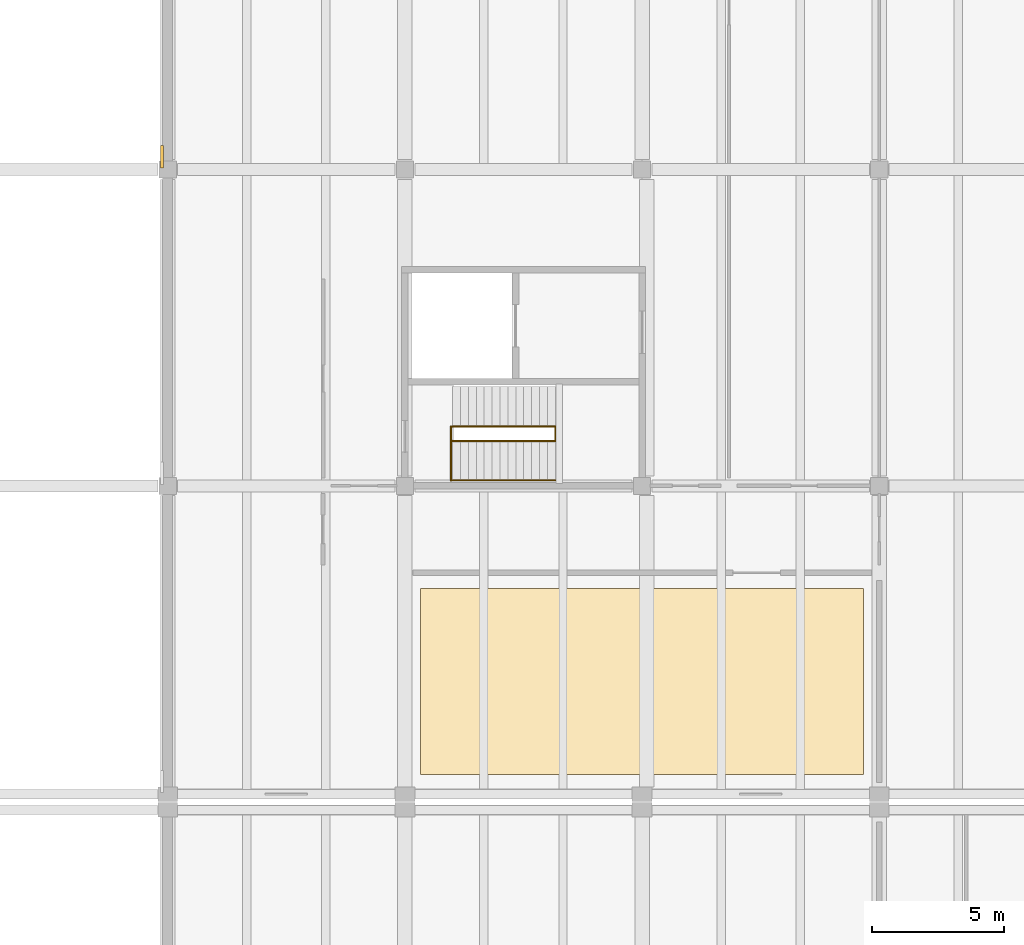
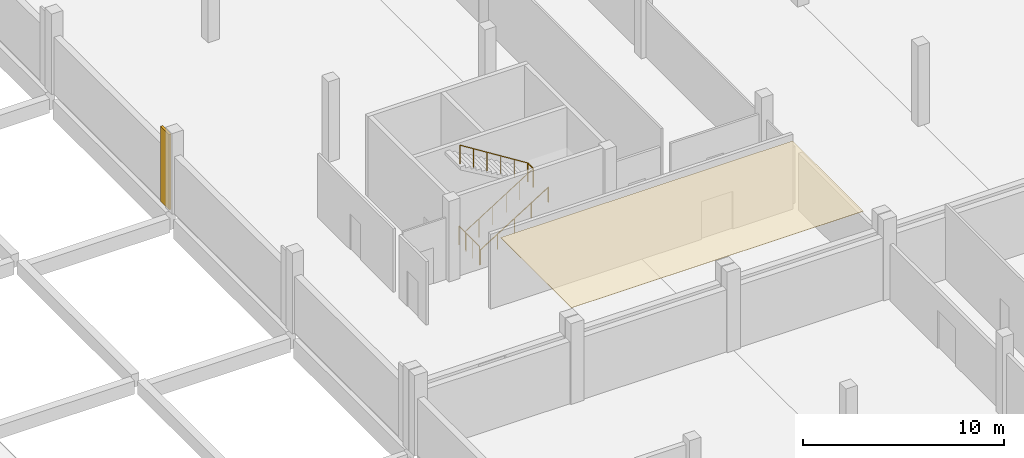
# One storey, part 101 of 110: 5 railings, 2 coverings.
"""IFC4 building model written with IfcOpenShell, lengths in metres."""

from ifc_helpers import new_model, si_unit, direction, frame, origin, origin_2d, place, context, subcontext, project, spatial, polyline, rectangle, circle, outline, extrude, material, layer, layer_set, type_object, element, save


model = new_model("IFC4")

# Units and contexts
model_context = context("Model", 3, precision=1e-05, world=origin(), true_north=direction((0.0, 1.0)))
body_context = subcontext(model_context, "Body", "Model", "MODEL_VIEW")
ifc_project = project(units=[si_unit("LENGTHUNIT", "METRE"), si_unit("AREAUNIT", "SQUARE_METRE"), si_unit("VOLUMEUNIT", "CUBIC_METRE"), si_unit("PLANEANGLEUNIT", "RADIAN"), si_unit("MASSUNIT", "GRAM", prefix="KILO")], contexts=[model_context])

# Site, building, storey
site_placement = place(None, origin())
site = spatial("IfcSite", under=ifc_project, at=site_placement, CompositionType="ELEMENT")
building_placement = place(site_placement, origin())
building = spatial("IfcBuilding", under=site, at=building_placement, Name="Zacnel Wholesale Market", CompositionType="ELEMENT")
storey_placement = place(building_placement, frame((0.0, 0.0, 6.300048828125)))
storey = spatial("IfcBuildingStorey", under=building, at=storey_placement, Name="L02", CompositionType="ELEMENT", Elevation=6.300048828125)

# Coverings
ifc_material_1 = material(Name="Micro-perforated acoustic gypsum ceiling")
ifc_layer_1 = layer(ifc_material_1, 0.02001953125)
ifc_layer_set_1 = layer_set([ifc_layer_1], Name="Micro-perforated acoustic gypsum ceiling")
covering_type_1 = type_object("IfcCoveringType", Name="COV-CEIL-AC-20", PredefinedType="CEILING", material=ifc_layer_set_1)
covering_1_placement = place(storey_placement, frame((0.0, 0.0, 4.5400390625)))
element("IfcCovering", 1, at=covering_1_placement, inside=storey, type_object=covering_type_1, Name="Acoustic ceiling L02-308S", PredefinedType="CEILING", context=body_context, shape_type="SweptSolid", body=[
    extrude(outline(polyline([(27.60009765625, 97.050048828125), (44.39990234375, 97.050048828125), (44.39990234375, 104.10009765625), (27.60009765625, 104.10009765625), (27.60009765625, 97.050048828125)])), origin(), (0.0, 0.0, 1.0), 0.02001953125),
])
ifc_material_2 = material(Name="Honed Yucatan Maya cream limestone", Category="masonry")
ifc_layer_2 = layer(ifc_material_2, 0.090087890625)
ifc_layer_set_2 = layer_set([ifc_layer_2], Name="Honed Yucatan Maya cream limestone")
covering_type_2 = type_object("IfcCoveringType", Name="COV-CLAD-FRET", PredefinedType="CLADDING", material=ifc_layer_set_2)
covering_2_placement = place(storey_placement, frame((17.7900390625, 120.47998046875, 0.02001953125), z_axis=(0.0, 0.0, 1.0), x_axis=(0.0, 1.0, 0.0)))
element("IfcCovering", 2, at=covering_2_placement, inside=storey, type_object=covering_type_2, Name="Fluted Mayan-Deco limestone pilaster L02-0104", PredefinedType="CLADDING", context=body_context, shape_type="SweptSolid", body=[
    extrude(rectangle(XDim=0.85009765625, YDim=0.1201171875, at=origin_2d()), origin(), (0.0, 0.0, 1.0), 4.580078125),
])

# Railings
ifc_material_3 = material(Name="Galvanized steel", Category="steel")
railing_type_1 = type_object("IfcRailingType", Name="RAL-HANDRAIL-920", PredefinedType="HANDRAIL", material=ifc_material_3)
railing_1_placement = place(storey_placement, frame((28.81005859375, 108.2099609375, 0.0)))
element("IfcRailing", 3, at=railing_1_placement, inside=storey, type_object=railing_type_1, Name="Stair ST-13 wall handrail", PredefinedType="HANDRAIL", context=body_context, shape_type="SweptSolid", body=[
    extrude(circle(Radius=0.02099609375, at=origin_2d()), frame((0.0, 0.0, 0.89892578125), z_axis=(0.846775046443, 0.0, 0.531951145052), x_axis=(0.0, 1.0, 0.0)), (0.0, 0.0, 1.0), 4.605712890625),
    extrude(circle(Radius=0.01806640625, at=origin_2d()), origin(), (0.0, 0.0, 1.0), 0.8779296875),
    extrude(circle(Radius=0.01806640625, at=origin_2d()), frame((0.97509765625, 0.0, 0.612548828125)), (0.0, 0.0, 1.0), 0.8779296875),
    extrude(circle(Radius=0.01806640625, at=origin_2d()), frame((1.949951171875, 0.0, 1.22509765625)), (0.0, 0.0, 1.0), 0.8779296875),
    extrude(circle(Radius=0.01806640625, at=origin_2d()), frame((2.9248046875, 0.0, 1.83740234375)), (0.0, 0.0, 1.0), 0.8779296875),
    extrude(circle(Radius=0.01806640625, at=origin_2d()), frame((3.89990234375, 0.0, 2.449951171875)), (0.0, 0.0, 1.0), 0.8779296875),
])
ifc_material_4 = material(Name="Galvanized steel", Category="steel")
railing_type_2 = type_object("IfcRailingType", Name="RAL-STAIR-GD1150", PredefinedType="BALUSTRADE", material=ifc_material_4)
railing_2_placement = place(storey_placement, frame((28.75, 108.18994140625, 0.0)))
element("IfcRailing", 4, at=railing_2_placement, inside=storey, type_object=railing_type_2, Name="Stair balustrade INT-STAIR-ST-12-GDWELL-1", PredefinedType="BALUSTRADE", context=body_context, shape_type="SweptSolid", body=[
    extrude(circle(Radius=0.02392578125, at=origin_2d()), frame((0.0, 0.0, 1.1259765625), z_axis=(0.0, 1.0, 0.0), x_axis=(-1.0, 0.0, 0.0)), (0.0, 0.0, 1.0), 2.06005859375),
    extrude(circle(Radius=0.02099609375, at=origin_2d()), origin(), (0.0, 0.0, 1.0), 1.101806640625),
    extrude(circle(Radius=0.02099609375, at=origin_2d()), frame((0.0, 0.686767578125, 0.0)), (0.0, 0.0, 1.0), 1.101806640625),
    extrude(circle(Radius=0.02099609375, at=origin_2d()), frame((0.0, 1.373291015625, 0.0)), (0.0, 0.0, 1.0), 1.101806640625),
    extrude(circle(Radius=0.02099609375, at=origin_2d()), frame((0.0, 2.06005859375, 0.0)), (0.0, 0.0, 1.0), 1.101806640625),
])
railing_3_placement = place(storey_placement, frame((28.81005859375, 109.699951171875, 0.0)))
element("IfcRailing", 5, at=railing_3_placement, inside=storey, type_object=railing_type_2, Name="Stair balustrade INT-STAIR-ST-13-GDIN-1", PredefinedType="BALUSTRADE", context=body_context, shape_type="SweptSolid", body=[
    extrude(circle(Radius=0.02392578125, at=origin_2d()), frame((0.0, 0.0, 1.1259765625), z_axis=(0.846775046443, 0.0, 0.531951145052), x_axis=(0.0, 1.0, 0.0)), (0.0, 0.0, 1.0), 4.605712890625),
    extrude(circle(Radius=0.02099609375, at=origin_2d()), origin(), (0.0, 0.0, 1.0), 1.101806640625),
    extrude(circle(Radius=0.02099609375, at=origin_2d()), frame((0.780029296875, 0.0, 0.489990234375)), (0.0, 0.0, 1.0), 1.101806640625),
    extrude(circle(Radius=0.02099609375, at=origin_2d()), frame((1.56005859375, 0.0, 0.97998046875)), (0.0, 0.0, 1.0), 1.101806640625),
    extrude(circle(Radius=0.02099609375, at=origin_2d()), frame((2.33984375, 0.0, 1.469970703125)), (0.0, 0.0, 1.0), 1.101806640625),
    extrude(circle(Radius=0.02099609375, at=origin_2d()), frame((3.119873046875, 0.0, 1.9599609375)), (0.0, 0.0, 1.0), 1.101806640625),
    extrude(circle(Radius=0.02099609375, at=origin_2d()), frame((3.89990234375, 0.0, 2.449951171875)), (0.0, 0.0, 1.0), 1.101806640625),
])
railing_4_placement = place(storey_placement, frame((32.7099609375, 109.699951171875, 2.449951171875)))
element("IfcRailing", 6, at=railing_4_placement, inside=storey, type_object=railing_type_2, Name="Stair balustrade INT-STAIR-ST-13-GDIN-2", PredefinedType="BALUSTRADE", context=body_context, shape_type="SweptSolid", body=[
    extrude(circle(Radius=0.02392578125, at=origin_2d()), frame((0.0, 0.0, 1.1259765625), z_axis=(0.0, 1.0, 0.0), x_axis=(-1.0, 0.0, 0.0)), (0.0, 0.0, 1.0), 0.550048828125),
    extrude(circle(Radius=0.02099609375, at=origin_2d()), origin(), (0.0, 0.0, 1.0), 1.101806640625),
    extrude(circle(Radius=0.02099609375, at=origin_2d()), frame((0.0, 0.550048828125, 0.0)), (0.0, 0.0, 1.0), 1.101806640625),
])
railing_5_placement = place(storey_placement, frame((32.7099609375, 110.25, 2.449951171875)))
element("IfcRailing", 7, at=railing_5_placement, inside=storey, type_object=railing_type_2, Name="Stair balustrade INT-STAIR-ST-13-GDIN-3", PredefinedType="BALUSTRADE", context=body_context, shape_type="SweptSolid", body=[
    extrude(circle(Radius=0.02392578125, at=origin_2d()), frame((0.0, 0.0, 1.1259765625), z_axis=(-0.846775046443, 0.0, 0.531951145052), x_axis=(0.0, -1.0, 0.0)), (0.0, 0.0, 1.0), 4.605712890625),
    extrude(circle(Radius=0.02099609375, at=origin_2d()), origin(), (0.0, 0.0, 1.0), 1.101806640625),
    extrude(circle(Radius=0.02099609375, at=origin_2d()), frame((-0.780029296875, 0.0, 0.489990234375)), (0.0, 0.0, 1.0), 1.101806640625),
    extrude(circle(Radius=0.02099609375, at=origin_2d()), frame((-1.56005859375, 0.0, 0.97998046875)), (0.0, 0.0, 1.0), 1.101806640625),
    extrude(circle(Radius=0.02099609375, at=origin_2d()), frame((-2.33984375, 0.0, 1.469970703125)), (0.0, 0.0, 1.0), 1.101806640625),
    extrude(circle(Radius=0.02099609375, at=origin_2d()), frame((-3.119873046875, 0.0, 1.9599609375)), (0.0, 0.0, 1.0), 1.101806640625),
    extrude(circle(Radius=0.02099609375, at=origin_2d()), frame((-3.89990234375, 0.0, 2.449951171875)), (0.0, 0.0, 1.0), 1.101806640625),
])

save(model, "model.ifc")
